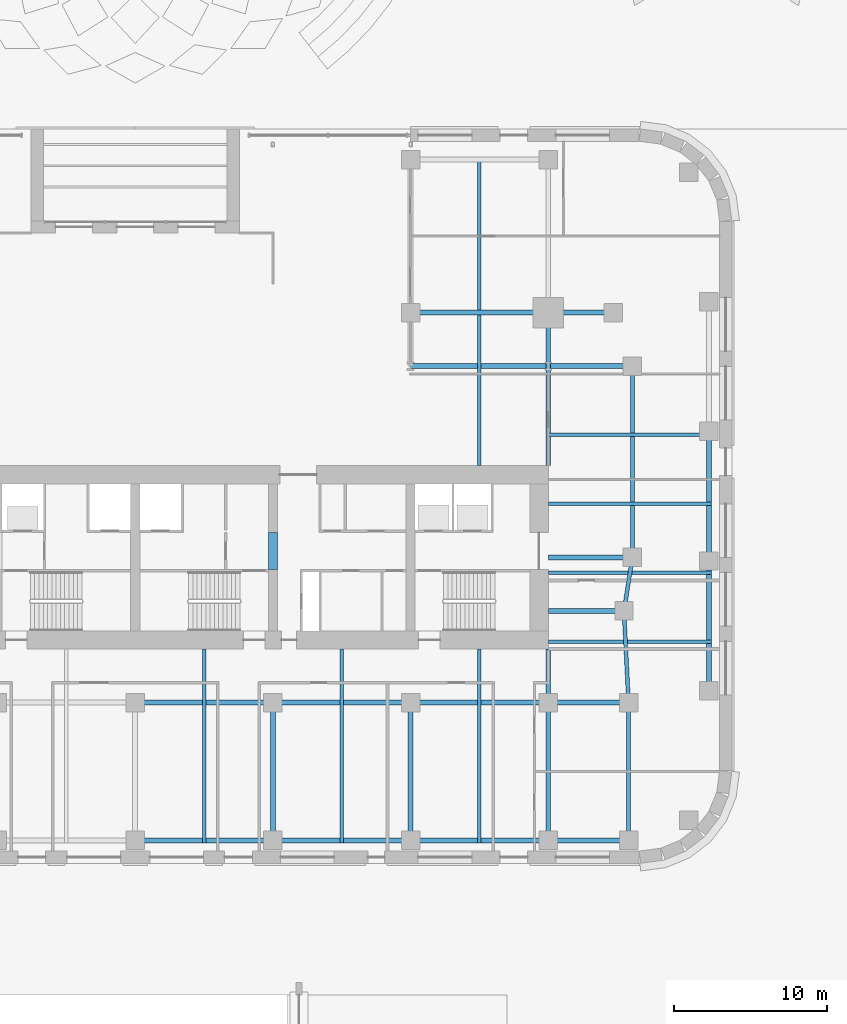
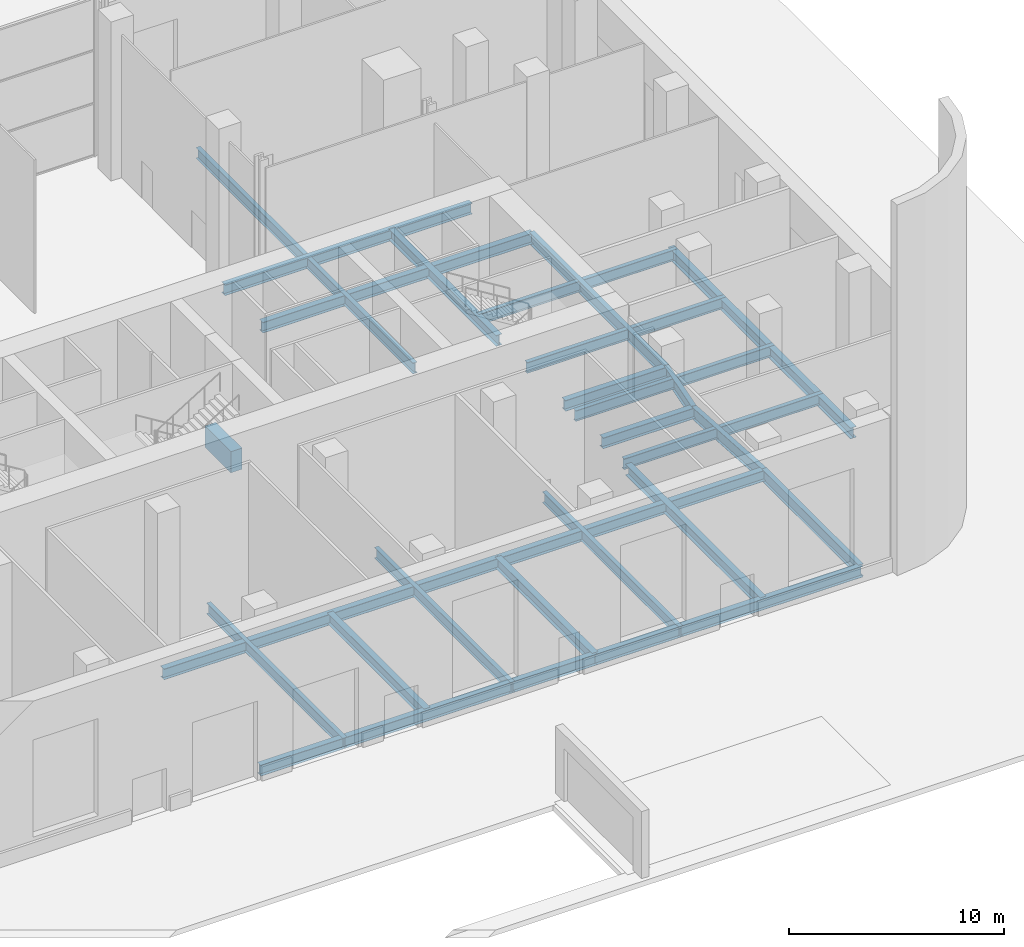
# One storey, part 5 of 23: 26 beams.
"""IFC4 building model written with IfcOpenShell, lengths in metres."""

from ifc_helpers import new_model, si_unit, direction, frame, origin, origin_2d, place, context, subcontext, project, spatial, rectangle, i_section, extrude, material, material_profile, profile_set, type_object, element, save


model = new_model("IFC4")

# Units and contexts
model_context = context("Model", 3, precision=1e-05, world=origin(), true_north=direction((0.0, 1.0)))
body_context = subcontext(model_context, "Body", "Model", "MODEL_VIEW")
ifc_project = project(units=[si_unit("LENGTHUNIT", "METRE"), si_unit("AREAUNIT", "SQUARE_METRE"), si_unit("VOLUMEUNIT", "CUBIC_METRE"), si_unit("PLANEANGLEUNIT", "RADIAN"), si_unit("MASSUNIT", "GRAM", prefix="KILO")], contexts=[model_context])

# Site, building, storey
site_placement = place(None, origin())
site = spatial("IfcSite", under=ifc_project, at=site_placement, CompositionType="ELEMENT")
building_placement = place(site_placement, origin())
building = spatial("IfcBuilding", under=site, at=building_placement, Name="Zellij Exchange Tower", CompositionType="ELEMENT")
storey_placement = place(building_placement, origin())
storey = spatial("IfcBuildingStorey", under=building, at=storey_placement, Name="L00", CompositionType="ELEMENT", Elevation=0.0)

# Beams
ifc_material_1 = material(Name="Concrete C70/85", Category="concrete")
ifc_material_profile_1 = material_profile(ifc_material_1, rectangle(XDim=0.60009765625, YDim=1.199951171875, at=origin_2d()), Name="CORE-CB 600x1200 C70/85")
ifc_profile_set_1 = profile_set([ifc_material_profile_1], Name="Concrete C70/85")
beam_type_1 = type_object("IfcBeamType", Name="CORE-CB 600x1200 C70/85", PredefinedType="BEAM", material=ifc_profile_set_1)
beam_1_placement = place(storey_placement, frame((9.0, -8.800048828125, 3.0), z_axis=(0.0, 1.0, 0.0), x_axis=(-1.0, 0.0, 0.0)))
element("IfcBeam", 1, at=beam_1_placement, inside=storey, type_object=beam_type_1, Name="Core coupling beam x 9 L00", PredefinedType="BEAM", context=body_context, shape_type="SweptSolid", body=[
    extrude(rectangle(XDim=0.60009765625, YDim=1.199951171875, at=origin_2d()), origin(), (0.0, 0.0, 1.0), 2.425048828125),
])
ifc_material_2 = material(Name="Structural steel ASTM A992 Gr 50", Category="steel")
ifc_material_profile_2 = material_profile(ifc_material_2, i_section(OverallWidth=0.22900390625, OverallDepth=0.612060546875, WebThickness=0.011962890625, FlangeThickness=0.01953125, at=origin_2d()), Name="W24x84")
ifc_profile_set_2 = profile_set([ifc_material_profile_2], Name="Structural steel ASTM A992 Gr 50")
beam_type_2 = type_object("IfcBeamType", Name="STR-BEAM W24x84", PredefinedType="BEAM", material=ifc_profile_set_2)
for number, where, z_axis, x_axis, name in (
    (2, (4.5, -26.66259765625, -0.606201171875), (0.0, 1.0, 0.0), (-1.0, 0.0, 0.0), "B6"),
    (3, (13.5, -26.66259765625, -0.606201171875), (0.0, 1.0, 0.0), (-1.0, 0.0, 0.0), "B6"),
    (4, (22.5, -26.66259765625, -0.606201171875), (0.0, 1.0, 0.0), (-1.0, 0.0, 0.0), "B6"),
):
    element("IfcBeam", number, at=place(storey_placement, frame(where, z_axis=z_axis, x_axis=x_axis)), inside=storey, type_object=beam_type_2, Name=name, PredefinedType="BEAM", context=body_context, shape_type="SweptSolid", body=[
        extrude(i_section(OverallWidth=0.22900390625, OverallDepth=0.612060546875, WebThickness=0.011962890625, FlangeThickness=0.01953125, at=origin_2d()), origin(), (0.0, 0.0, 1.0), 12.66259765625),
    ])
beam_2_placement = place(storey_placement, frame((22.5, -2.0, -0.606201171875), z_axis=(0.0, 1.0, 0.0), x_axis=(-1.0, 0.0, 0.0)))
element("IfcBeam", 5, at=beam_2_placement, inside=storey, type_object=beam_type_2, Name="B6", PredefinedType="BEAM", context=body_context, shape_type="SweptSolid", body=[
    extrude(i_section(OverallWidth=0.22900390625, OverallDepth=0.612060546875, WebThickness=0.011962890625, FlangeThickness=0.01953125, at=origin_2d()), origin(), (0.0, 0.0, 1.0), 20.16259765625),
])
for number, where, z_axis, x_axis, name in (
    (6, (27.0, -13.5, -0.606201171875), (1.0, 0.0, 0.0), (0.0, 1.0, 0.0), "B6"),
    (7, (27.0, -9.0, -0.606201171875), (1.0, 0.0, 0.0), (0.0, 1.0, 0.0), "B6"),
    (8, (27.0, -4.5, -0.606201171875), (1.0, 0.0, 0.0), (0.0, 1.0, 0.0), "B6"),
    (9, (27.0, 0.0, -0.606201171875), (1.0, 0.0, 0.0), (0.0, 1.0, 0.0), "B6"),
):
    element("IfcBeam", number, at=place(storey_placement, frame(where, z_axis=z_axis, x_axis=x_axis)), inside=storey, type_object=beam_type_2, Name=name, PredefinedType="BEAM", context=body_context, shape_type="SweptSolid", body=[
        extrude(i_section(OverallWidth=0.22900390625, OverallDepth=0.612060546875, WebThickness=0.011962890625, FlangeThickness=0.01953125, at=origin_2d()), origin(), (0.0, 0.0, 1.0), 10.66259765625),
    ])
ifc_material_profile_3 = material_profile(ifc_material_2, i_section(OverallWidth=0.25390625, OverallDepth=0.67822265625, WebThickness=0.01171875, FlangeThickness=0.016357421875, at=origin_2d()), Name="W27x84")
ifc_profile_set_3 = profile_set([ifc_material_profile_3], Name="Structural steel ASTM A992 Gr 50")
beam_type_3 = type_object("IfcBeamType", Name="STR-EDGE GIRDER W27x84", PredefinedType="BEAM", material=ifc_profile_set_3)
beam_3_placement = place(storey_placement, frame((32.25, -26.5, -0.63916015625), z_axis=(0.0, 1.0, 0.0), x_axis=(-1.0, 0.0, 0.0)))
element("IfcBeam", 10, at=beam_3_placement, inside=storey, type_object=beam_type_3, Name="EB7", PredefinedType="BEAM", context=body_context, shape_type="SweptSolid", body=[
    extrude(i_section(OverallWidth=0.25390625, OverallDepth=0.67822265625, WebThickness=0.01171875, FlangeThickness=0.016357421875, at=origin_2d()), origin(), (0.0, 0.0, 1.0), 9.0),
])
beam_4_placement = place(storey_placement, frame((32.25, -17.5, -0.63916015625), z_axis=(-0.049945724537, 0.998751933465, 0.0), x_axis=(-0.998751933465, -0.049945724537, 0.0)))
element("IfcBeam", 11, at=beam_4_placement, inside=storey, type_object=beam_type_3, Name="EB7", PredefinedType="BEAM", context=body_context, shape_type="SweptSolid", body=[
    extrude(i_section(OverallWidth=0.25390625, OverallDepth=0.67822265625, WebThickness=0.01171875, FlangeThickness=0.016357421875, at=origin_2d()), origin(), (0.0, 0.0, 1.0), 6.007568359375),
])
beam_5_placement = place(storey_placement, frame((31.949951171875, -11.5, -0.63916015625), z_axis=(0.155251283593, 0.987875011802, 0.0), x_axis=(-0.987875011802, 0.155251283593, 0.0)))
element("IfcBeam", 12, at=beam_5_placement, inside=storey, type_object=beam_type_3, Name="EB7", PredefinedType="BEAM", context=body_context, shape_type="SweptSolid", body=[
    extrude(i_section(OverallWidth=0.25390625, OverallDepth=0.67822265625, WebThickness=0.01171875, FlangeThickness=0.016357421875, at=origin_2d()), origin(), (0.0, 0.0, 1.0), 3.54296875),
])
beam_6_placement = place(storey_placement, frame((32.5, -8.0, -0.63916015625), z_axis=(0.0, 1.0, 0.0), x_axis=(-1.0, 0.0, 0.0)))
element("IfcBeam", 13, at=beam_6_placement, inside=storey, type_object=beam_type_3, Name="EB7", PredefinedType="BEAM", context=body_context, shape_type="SweptSolid", body=[
    extrude(i_section(OverallWidth=0.25390625, OverallDepth=0.67822265625, WebThickness=0.01171875, FlangeThickness=0.016357421875, at=origin_2d()), origin(), (0.0, 0.0, 1.0), 12.5),
])
ifc_material_profile_4 = material_profile(ifc_material_2, i_section(OverallWidth=0.3251953125, OverallDepth=0.612060546875, WebThickness=0.0126953125, FlangeThickness=0.01904296875, at=origin_2d()), Name="W24x104")
ifc_profile_set_4 = profile_set([ifc_material_profile_4], Name="Structural steel ASTM A992 Gr 50")
beam_type_4 = type_object("IfcBeamType", Name="STR-GIRDER W24x104", PredefinedType="BEAM", material=ifc_profile_set_4)
beam_7_placement = place(storey_placement, frame((0.0, -26.5, -0.606201171875), z_axis=(1.0, 0.0, 0.0), x_axis=(0.0, 1.0, 0.0)))
element("IfcBeam", 14, at=beam_7_placement, inside=storey, type_object=beam_type_4, Name="G3", PredefinedType="BEAM", context=body_context, shape_type="SweptSolid", body=[
    extrude(i_section(OverallWidth=0.3251953125, OverallDepth=0.612060546875, WebThickness=0.0126953125, FlangeThickness=0.01904296875, at=origin_2d()), origin(), (0.0, 0.0, 1.0), 18.0),
])
beam_8_placement = place(storey_placement, frame((18.0, -26.5, -0.606201171875), z_axis=(1.0, 0.0, 0.0), x_axis=(0.0, 1.0, 0.0)))
element("IfcBeam", 15, at=beam_8_placement, inside=storey, type_object=beam_type_4, Name="G3", PredefinedType="BEAM", context=body_context, shape_type="SweptSolid", body=[
    extrude(i_section(OverallWidth=0.3251953125, OverallDepth=0.612060546875, WebThickness=0.0126953125, FlangeThickness=0.01904296875, at=origin_2d()), origin(), (0.0, 0.0, 1.0), 14.25),
])
beam_9_placement = place(storey_placement, frame((0.0, -17.5, -0.606201171875), z_axis=(1.0, 0.0, 0.0), x_axis=(0.0, 1.0, 0.0)))
element("IfcBeam", 16, at=beam_9_placement, inside=storey, type_object=beam_type_4, Name="G3", PredefinedType="BEAM", context=body_context, shape_type="SweptSolid", body=[
    extrude(i_section(OverallWidth=0.3251953125, OverallDepth=0.612060546875, WebThickness=0.0126953125, FlangeThickness=0.01904296875, at=origin_2d()), origin(), (0.0, 0.0, 1.0), 18.0),
])
beam_10_placement = place(storey_placement, frame((18.0, -17.5, -0.606201171875), z_axis=(1.0, 0.0, 0.0), x_axis=(0.0, 1.0, 0.0)))
element("IfcBeam", 17, at=beam_10_placement, inside=storey, type_object=beam_type_4, Name="G3", PredefinedType="BEAM", context=body_context, shape_type="SweptSolid", body=[
    extrude(i_section(OverallWidth=0.3251953125, OverallDepth=0.612060546875, WebThickness=0.0126953125, FlangeThickness=0.01904296875, at=origin_2d()), origin(), (0.0, 0.0, 1.0), 14.25),
])
beam_11_placement = place(storey_placement, frame((27.0, -11.5, -0.606201171875), z_axis=(1.0, 0.0, 0.0), x_axis=(0.0, 1.0, 0.0)))
element("IfcBeam", 18, at=beam_11_placement, inside=storey, type_object=beam_type_4, Name="G3", PredefinedType="BEAM", context=body_context, shape_type="SweptSolid", body=[
    extrude(i_section(OverallWidth=0.3251953125, OverallDepth=0.612060546875, WebThickness=0.0126953125, FlangeThickness=0.01904296875, at=origin_2d()), origin(), (0.0, 0.0, 1.0), 4.949951171875),
])
beam_12_placement = place(storey_placement, frame((27.0, -8.0, -0.606201171875), z_axis=(1.0, 0.0, 0.0), x_axis=(0.0, 1.0, 0.0)))
element("IfcBeam", 19, at=beam_12_placement, inside=storey, type_object=beam_type_4, Name="G3", PredefinedType="BEAM", context=body_context, shape_type="SweptSolid", body=[
    extrude(i_section(OverallWidth=0.3251953125, OverallDepth=0.612060546875, WebThickness=0.0126953125, FlangeThickness=0.01904296875, at=origin_2d()), origin(), (0.0, 0.0, 1.0), 5.5),
])
beam_13_placement = place(storey_placement, frame((18.0, 4.5, -0.606201171875), z_axis=(1.0, 0.0, 0.0), x_axis=(0.0, 1.0, 0.0)))
element("IfcBeam", 20, at=beam_13_placement, inside=storey, type_object=beam_type_4, Name="G3", PredefinedType="BEAM", context=body_context, shape_type="SweptSolid", body=[
    extrude(i_section(OverallWidth=0.3251953125, OverallDepth=0.612060546875, WebThickness=0.0126953125, FlangeThickness=0.01904296875, at=origin_2d()), origin(), (0.0, 0.0, 1.0), 14.5),
])
beam_14_placement = place(storey_placement, frame((18.0, 8.0, -0.606201171875), z_axis=(1.0, 0.0, 0.0), x_axis=(0.0, 1.0, 0.0)))
element("IfcBeam", 21, at=beam_14_placement, inside=storey, type_object=beam_type_4, Name="G3", PredefinedType="BEAM", context=body_context, shape_type="SweptSolid", body=[
    extrude(i_section(OverallWidth=0.3251953125, OverallDepth=0.612060546875, WebThickness=0.0126953125, FlangeThickness=0.01904296875, at=origin_2d()), origin(), (0.0, 0.0, 1.0), 13.25),
])
for number, where, z_axis, x_axis, name in (
    (22, (9.0, -26.5, -0.606201171875), (0.0, 1.0, 0.0), (-1.0, 0.0, 0.0), "G3"),
    (23, (18.0, -26.5, -0.606201171875), (0.0, 1.0, 0.0), (-1.0, 0.0, 0.0), "G3"),
):
    element("IfcBeam", number, at=place(storey_placement, frame(where, z_axis=z_axis, x_axis=x_axis)), inside=storey, type_object=beam_type_4, Name=name, PredefinedType="BEAM", context=body_context, shape_type="SweptSolid", body=[
        extrude(i_section(OverallWidth=0.3251953125, OverallDepth=0.612060546875, WebThickness=0.0126953125, FlangeThickness=0.01904296875, at=origin_2d()), origin(), (0.0, 0.0, 1.0), 9.0),
    ])
beam_15_placement = place(storey_placement, frame((27.0, -26.5, -0.606201171875), z_axis=(0.0, 1.0, 0.0), x_axis=(-1.0, 0.0, 0.0)))
element("IfcBeam", 24, at=beam_15_placement, inside=storey, type_object=beam_type_4, Name="G3", PredefinedType="BEAM", context=body_context, shape_type="SweptSolid", body=[
    extrude(i_section(OverallWidth=0.3251953125, OverallDepth=0.612060546875, WebThickness=0.0126953125, FlangeThickness=0.01904296875, at=origin_2d()), origin(), (0.0, 0.0, 1.0), 12.5),
])
beam_16_placement = place(storey_placement, frame((27.0, -2.0, -0.606201171875), z_axis=(0.0, 1.0, 0.0), x_axis=(-1.0, 0.0, 0.0)))
element("IfcBeam", 25, at=beam_16_placement, inside=storey, type_object=beam_type_4, Name="G3", PredefinedType="BEAM", context=body_context, shape_type="SweptSolid", body=[
    extrude(i_section(OverallWidth=0.3251953125, OverallDepth=0.612060546875, WebThickness=0.0126953125, FlangeThickness=0.01904296875, at=origin_2d()), origin(), (0.0, 0.0, 1.0), 10.0),
])
beam_17_placement = place(storey_placement, frame((37.5, -16.708984375, -0.606201171875), z_axis=(0.0, 1.0, 0.0), x_axis=(-1.0, 0.0, 0.0)))
element("IfcBeam", 26, at=beam_17_placement, inside=storey, type_object=beam_type_4, Name="G3", PredefinedType="BEAM", context=body_context, shape_type="SweptSolid", body=[
    extrude(i_section(OverallWidth=0.3251953125, OverallDepth=0.612060546875, WebThickness=0.0126953125, FlangeThickness=0.01904296875, at=origin_2d()), origin(), (0.0, 0.0, 1.0), 16.945068359375),
])

save(model, "model.ifc")
